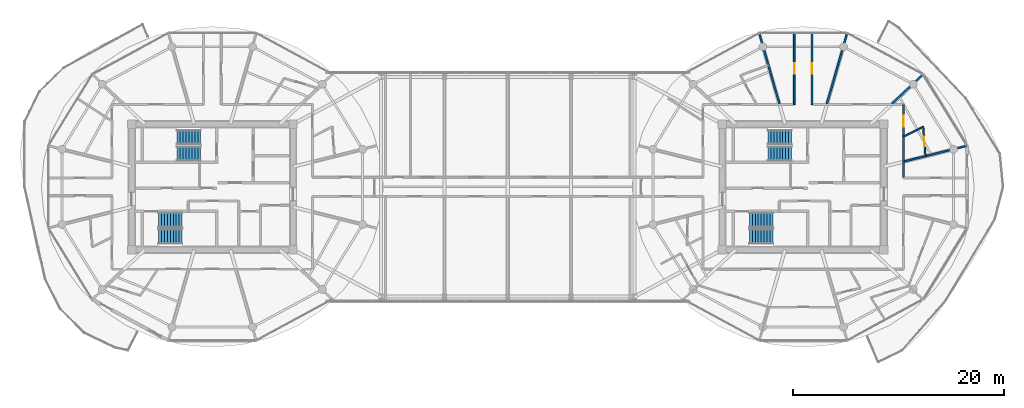
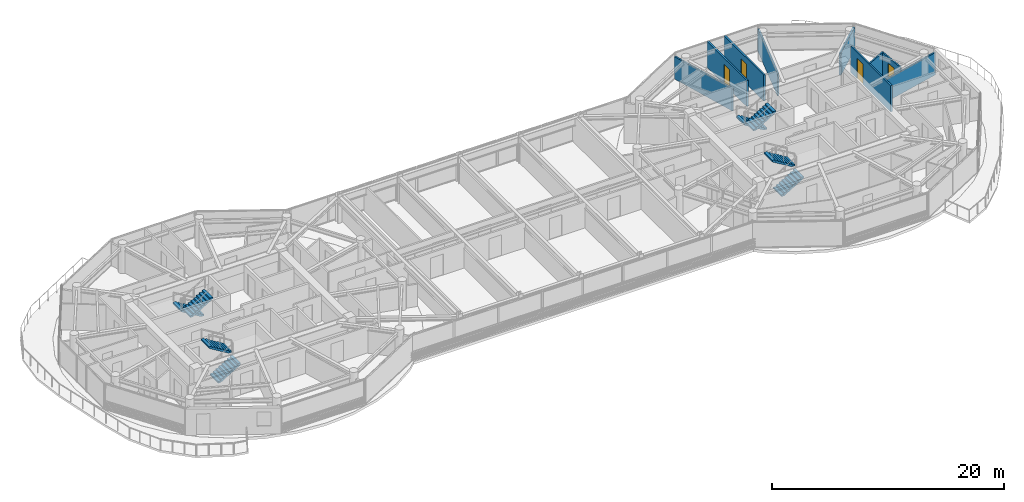
# One storey, part 20 of 24: 9 walls, 8 stair flights, 4 doors, 4 openings, 4 elements without a shape of their own.
"""IFC4 building model written with IfcOpenShell, lengths in metres."""

import ifcopenshell
import ifcopenshell.guid

model = None  # the IFC model being written
_history = None  # IfcOwnerHistory: only IFC2X3 demands one
_inside = {}  # id of a spatial element -> (the spatial element, [elements in it])
_under = {}  # id of a project, library or spatial element -> (it, [spatial elements below it])
_declared = {}  # id of a project -> (the project, [libraries it declares])
_typed = {}  # id of a type object -> (the type object, [elements of that type])
_made_of = {}  # id of a material, layer set ... -> (it, [elements and type objects made of it])


def new_model(schema):
    """Start an empty IFC model of exactly this schema.

    Asked for "IFC4X3", IfcOpenShell would pick the latest addendum, in which some entities
    have other attributes; the version numbers below select the first issue.
    IFC2X3 requires an IfcOwnerHistory on every rooted entity: one is made here for all.
    """
    global model, _history
    if schema == "IFC4X3":
        model = ifcopenshell.file(schema_version=(4, 3, 0, 0))
    else:
        model = ifcopenshell.file(schema=schema)
    _inside.clear()
    _under.clear()
    _declared.clear()
    _typed.clear()
    _made_of.clear()
    _history = None
    if model.schema == "IFC2X3":
        org = make("IfcOrganization", Name="unknown")
        user = make(
            "IfcPersonAndOrganization",
            ThePerson=make("IfcPerson", FamilyName="unknown"),
            TheOrganization=org,
        )
        app = make(
            "IfcApplication",
            ApplicationDeveloper=org,
            Version="unknown",
            ApplicationFullName="unknown",
            ApplicationIdentifier="unknown",
        )
        _history = make(
            "IfcOwnerHistory",
            OwningUser=user,
            OwningApplication=app,
            ChangeAction="ADDED",
            CreationDate=0,
        )
    return model


def make(cls, **values):
    """One entity of the class cls with the attributes given. An attribute that is None is left unset."""
    return model.create_entity(
        cls, **{name: value for name, value in values.items() if value is not None}
    )


def rooted(cls, **values):
    """An entity with a GlobalId (a new one), such as an element, a storey or a relation."""
    return make(cls, GlobalId=ifcopenshell.guid.new(), OwnerHistory=_history, **values)


def si_unit(unit_type, name, prefix=None):
    """IfcSIUnit, for example si_unit("LENGTHUNIT", "METRE", prefix="MILLI")."""
    return make("IfcSIUnit", UnitType=unit_type, Prefix=prefix, Name=name)


def assignment(units):
    """IfcUnitAssignment: the units of a project."""
    return None if units is None else make("IfcUnitAssignment", Units=units)


def point(xyz):
    """IfcCartesianPoint."""
    return None if xyz is None else make("IfcCartesianPoint", Coordinates=xyz)


def direction(xyz):
    """IfcDirection."""
    return None if xyz is None else make("IfcDirection", DirectionRatios=xyz)


def frame(location, z_axis=None, x_axis=None):
    """IfcAxis2Placement3D, a coordinate frame: its origin and axes. An axis left out is left unset."""
    return make(
        "IfcAxis2Placement3D",
        Location=point(location),
        Axis=direction(z_axis),
        RefDirection=direction(x_axis),
    )


def frame_2d(location, x_axis=None):
    """IfcAxis2Placement2D, a coordinate frame in the plane: its origin and x axis."""
    return make(
        "IfcAxis2Placement2D", Location=point(location), RefDirection=direction(x_axis)
    )


def origin():
    """The frame at (0, 0, 0) with its axes left unset."""
    return frame((0.0, 0.0, 0.0))


def place(relative_to, where):
    """IfcLocalPlacement: puts the frame where relative to a parent placement (None: the world)."""
    return make(
        "IfcLocalPlacement", PlacementRelTo=relative_to, RelativePlacement=where
    )


def context(
    kind, dimensions, precision=None, world=None, true_north=None, identifier=None
):
    """IfcGeometricRepresentationContext, for example the 3D "Model" context."""
    return make(
        "IfcGeometricRepresentationContext",
        ContextIdentifier=identifier,
        ContextType=kind,
        CoordinateSpaceDimension=dimensions,
        Precision=precision,
        WorldCoordinateSystem=world,
        TrueNorth=true_north,
    )


def subcontext(parent, identifier, kind, view, scale=None):
    """IfcGeometricRepresentationSubContext, for example "Body" below "Model"."""
    return make(
        "IfcGeometricRepresentationSubContext",
        ContextIdentifier=identifier,
        ContextType=kind,
        ParentContext=parent,
        TargetScale=scale,
        TargetView=view,
    )


def project(units=None, contexts=None):
    """IfcProject with its units and contexts."""
    return rooted(
        "IfcProject",
        Name="project",
        RepresentationContexts=contexts,
        UnitsInContext=assignment(units),
    )


def spatial(cls, under=None, at=None, **own):
    """A site, building, storey or space (cls), placed at a placement, below another one or the project."""
    s = rooted(cls, ObjectPlacement=at, **own)
    if under is not None:
        _under.setdefault(under.id(), (under, []))[1].append(s)
    return s


def polyline(points):
    """IfcPolyline through the points."""
    return make("IfcPolyline", Points=[point(p) for p in points])


def profile(cls, at=None, kind="AREA", **sizes):
    """A parametric profile (cls). Its sizes go by their IFC names, for example OverallWidth=200.0."""
    return make(cls, ProfileType=kind, Position=at, **sizes)


def rectangle(**sizes):
    """IfcRectangleProfileDef."""
    return profile("IfcRectangleProfileDef", **sizes)


def outline(outer, holes=None, kind="AREA"):
    """IfcArbitraryClosedProfileDef: a profile drawn as a closed curve; with holes, ...WithVoids."""
    if holes is None:
        return make("IfcArbitraryClosedProfileDef", ProfileType=kind, OuterCurve=outer)
    return make(
        "IfcArbitraryProfileDefWithVoids",
        ProfileType=kind,
        OuterCurve=outer,
        InnerCurves=holes,
    )


def extrude(swept, where, along, depth):
    """IfcExtrudedAreaSolid: the profile swept, set in the frame where, extruded along a direction by depth."""
    return make(
        "IfcExtrudedAreaSolid",
        SweptArea=swept,
        Position=where,
        ExtrudedDirection=direction(along),
        Depth=depth,
    )


def shape(context_of_items, identifier, shape_type, items):
    """IfcShapeRepresentation: the items that make up one representation, for example the "Body"."""
    return make(
        "IfcShapeRepresentation",
        ContextOfItems=context_of_items,
        RepresentationIdentifier=identifier,
        RepresentationType=shape_type,
        Items=items,
    )


def source(mapping_origin, context_of_items, identifier, shape_type, items):
    """IfcRepresentationMap: a shape defined once, which mapped items show again and again."""
    return make(
        "IfcRepresentationMap",
        MappingOrigin=mapping_origin,
        MappedRepresentation=shape(context_of_items, identifier, shape_type, items),
    )


def transform(
    local_origin,
    x_axis=None,
    y_axis=None,
    z_axis=None,
    scale=None,
    scale2=None,
    scale3=None,
    uniform=True,
):
    """IfcCartesianTransformationOperator3D, or its non-uniform kind. x_axis, y_axis, z_axis: its Axis1, 2, 3."""
    if uniform:
        return make(
            "IfcCartesianTransformationOperator3D",
            Axis1=direction(x_axis),
            Axis2=direction(y_axis),
            LocalOrigin=point(local_origin),
            Scale=scale,
            Axis3=direction(z_axis),
        )
    return make(
        "IfcCartesianTransformationOperator3DnonUniform",
        Axis1=direction(x_axis),
        Axis2=direction(y_axis),
        LocalOrigin=point(local_origin),
        Scale=scale,
        Axis3=direction(z_axis),
        Scale2=scale2,
        Scale3=scale3,
    )


def mapped(mapping_source, mapping_target):
    """IfcMappedItem: shows the shape of a source again, moved by a transform."""
    return make(
        "IfcMappedItem", MappingSource=mapping_source, MappingTarget=mapping_target
    )


def material(Name=None, Category=None):
    """IfcMaterial."""
    return make("IfcMaterial", Name=Name, Category=Category)


def layer(
    of_material, thickness, ventilated=None, Name=None, Category=None, Priority=None
):
    """IfcMaterialLayer: one layer of a wall or slab, of a material (None: an air gap)."""
    return make(
        "IfcMaterialLayer",
        Material=of_material,
        LayerThickness=thickness,
        IsVentilated=ventilated,
        Name=Name,
        Category=Category,
        Priority=Priority,
    )


def layer_set(layers, Name=None):
    """IfcMaterialLayerSet."""
    return make("IfcMaterialLayerSet", MaterialLayers=layers, LayerSetName=Name)


def made_of(thing, what):
    """Note that an element or type object is made of a material, layer set ...; save() writes the relation."""
    if what is not None:
        _made_of.setdefault(what.id(), (what, []))[1].append(thing)
    return thing


def type_object(cls, material=None, **own):
    """A type object (cls), such as IfcWallType, which elements share."""
    return made_of(rooted(cls, **own), material)


def type_shapes(of_type, sources):
    """Give a type object the sources (RepresentationMaps) that its elements show as mapped items."""
    of_type.RepresentationMaps = sources


def element(
    cls,
    number,
    at=None,
    inside=None,
    cuts=None,
    type_object=None,
    material=None,
    context=None,
    identifier="Body",
    shape_type=None,
    held_by="IfcProductDefinitionShape",
    body=None,
    shapes=None,
    **own,
):
    """One element of the class cls, such as IfcWall. Its Tag is "e" and its number.

    at: its placement. inside: the storey or other place that contains it. cuts: it is an
    opening in that element (IfcRelVoidsElement). A single representation is given by context,
    identifier, shape_type and body (its items); several are given by shapes. held_by: the class
    of the entity that holds the representations. save() writes the other relations.
    """
    e = rooted(cls, Tag="e%d" % number, ObjectPlacement=at, **own)
    if body is not None:
        shapes = [shape(context, identifier, shape_type, body)]
    if shapes is not None:
        e.Representation = make(held_by, Representations=shapes)
    if inside is not None:
        _inside.setdefault(inside.id(), (inside, []))[1].append(e)
    if cuts is not None:
        rooted(
            "IfcRelVoidsElement", RelatingBuildingElement=cuts, RelatedOpeningElement=e
        )
    if type_object is not None:
        _typed.setdefault(type_object.id(), (type_object, []))[1].append(e)
    return made_of(e, material)


def fill(opening, filler):
    """IfcRelFillsElement: the door or window that sits in an opening."""
    return rooted(
        "IfcRelFillsElement",
        RelatingOpeningElement=opening,
        RelatedBuildingElement=filler,
    )


def aggregate(whole, parts):
    """IfcRelAggregates: a whole, such as a stair, and the parts it consists of."""
    return rooted("IfcRelAggregates", RelatingObject=whole, RelatedObjects=parts)


def save(model, path):
    """Write the relations noted so far, then the file.

    IfcRelAggregates (storeys below a building ...), IfcRelContainedInSpatialStructure (elements
    in a storey), IfcRelDefinesByType, IfcRelAssociatesMaterial and IfcRelDeclares: one each for
    every whole, place, type object, material and project.
    """
    for whole, parts in _under.values():
        aggregate(whole, parts)
    for where, things in _inside.values():
        rooted(
            "IfcRelContainedInSpatialStructure",
            RelatedElements=things,
            RelatingStructure=where,
        )
    for kind, things in _typed.values():
        rooted("IfcRelDefinesByType", RelatedObjects=things, RelatingType=kind)
    for what, things in _made_of.values():
        rooted("IfcRelAssociatesMaterial", RelatedObjects=things, RelatingMaterial=what)
    for by, libraries in _declared.values():
        rooted("IfcRelDeclares", RelatingContext=by, RelatedDefinitions=libraries)
    model.write(path)


model = new_model("IFC4")

# Units and contexts
model_context = context("Model", 3, precision=1e-05, world=origin(), true_north=direction((0.0, 1.0)))
body_context = subcontext(model_context, "Body", "Model", "MODEL_VIEW")
ifc_project = project(units=[si_unit("LENGTHUNIT", "METRE"), si_unit("AREAUNIT", "SQUARE_METRE"), si_unit("VOLUMEUNIT", "CUBIC_METRE"), si_unit("PLANEANGLEUNIT", "RADIAN"), si_unit("MASSUNIT", "GRAM", prefix="KILO")], contexts=[model_context])

# Site, building, storey
site_placement = place(None, origin())
site = spatial("IfcSite", under=ifc_project, at=site_placement, CompositionType="ELEMENT")
building_placement = place(site_placement, origin())
building = spatial("IfcBuilding", under=site, at=building_placement, Name="Norrkilde Senior Care Towers", CompositionType="ELEMENT")
storey_placement = place(building_placement, frame((0.0, 0.0, 213.89990234375)))
storey = spatial("IfcBuildingStorey", under=building, at=storey_placement, Name="L66", CompositionType="ELEMENT", Elevation=213.89990234375)

# Wall, opening, door
ifc_material_1 = material(Name="Gypsum Acoustic Board")
ifc_layer_1 = layer(ifc_material_1, 0.1650390625)
ifc_layer_set_1 = layer_set([ifc_layer_1], Name="Gypsum Acoustic Board")
wall_type_1 = type_object("IfcWallType", Name="Corridor Rated Partition 165", PredefinedType="PARTITIONING", material=ifc_layer_set_1)
shared_shape_1 = source(origin(), body_context, "Body", "SweptSolid", [
    extrude(rectangle(XDim=6.880126953125, YDim=0.1650390625, at=frame_2d((3.43994140625, 0.0))), origin(), (0.0, 0.0, 1.0), 2.7451171875),
])
wall_1_placement = place(storey_placement, frame((37.5, 7.800048828125, 0.0), z_axis=(0.0, 0.0, 1.0), x_axis=(0.0, -1.0, 0.0)))
wall_1 = element("IfcWall", 1, at=wall_1_placement, inside=storey, type_object=wall_type_1, Name="WL-INT-L66-E-CRW-E-0", PredefinedType="PARTITIONING", context=body_context, shape_type="MappedRepresentation", body=[
    mapped(shared_shape_1, transform((0.0, 0.0, 0.0), x_axis=(1.0, 0.0, 0.0), y_axis=(0.0, 1.0, 0.0), z_axis=(0.0, 0.0, 1.0), scale=1.0)),
])
opening_1_placement = place(wall_1_placement, frame((1.068115234375, 0.0, 0.0)))
opening_1 = element("IfcOpeningElement", 2, at=opening_1_placement, cuts=wall_1, Name="Opening D-06", PredefinedType="OPENING", context=body_context, shape_type="SweptSolid", body=[
    extrude(rectangle(XDim=1.050048828125, YDim=2.14990234375, at=frame_2d((0.52490234375, 1.074951171875))), frame((0.0, 0.092529296875, 0.0), z_axis=(0.0, -1.0, 0.0), x_axis=(1.0, 0.0, 0.0)), (0.0, 0.0, 1.0), 0.18505859375),
])
ifc_material_2 = material(Name="Nordic Ash Timber", Category="wood")
door_type_1 = type_object("IfcDoorType", Name="Apartment Entrance Fire Door 1050x2150", OperationType="NOTDEFINED", PredefinedType="DOOR", material=ifc_material_2)
shared_shape_2 = source(origin(), body_context, "Body", "SweptSolid", [
    extrude(rectangle(XDim=1.050048828125, YDim=2.14990234375, at=frame_2d((0.52490234375, 1.074951171875))), frame((0.0, 0.02490234375, 0.0), z_axis=(0.0, -1.0, 0.0), x_axis=(1.0, 0.0, 0.0)), (0.0, 0.0, 1.0), 0.050048828125),
])
type_shapes(door_type_1, [shared_shape_2])
door_1_placement = place(opening_1_placement, frame((1.050048828125, 0.0, 0.0), z_axis=(0.0, 0.0, 1.0), x_axis=(-1.0, 0.0, 0.0)))
door_1 = element("IfcDoor", 3, at=door_1_placement, inside=storey, type_object=door_type_1, Name="L66 Studio 66A Entrance Door", OperationType="SINGLE_SWING_LEFT", OverallHeight=2.14990234375, OverallWidth=1.050048828125, PredefinedType="DOOR", context=body_context, shape_type="MappedRepresentation", body=[
    mapped(shared_shape_2, transform((0.0, 0.0, 0.0), x_axis=(1.0, 0.0, 0.0), y_axis=(0.0, 1.0, 0.0), z_axis=(0.0, 0.0, 1.0), scale=1.0)),
])
fill(opening_1, door_1)

shared_shape_3 = source(origin(), body_context, "Body", "SweptSolid", [
    extrude(rectangle(XDim=6.83544921875, YDim=0.1650390625, at=frame_2d((3.417724609375, 0.0))), origin(), (0.0, 0.0, 1.0), 2.7451171875),
])
wall_2_placement = place(storey_placement, frame((27.159912109375, 7.800048828125, 0.0), z_axis=(0.0, 0.0, 1.0), x_axis=(0.0, 1.0, 0.0)))
wall_2 = element("IfcWall", 4, at=wall_2_placement, inside=storey, type_object=wall_type_1, Name="WL-INT-L66-E-SPK-N1-0", PredefinedType="PARTITIONING", context=body_context, shape_type="MappedRepresentation", body=[
    mapped(shared_shape_3, transform((0.0, 0.0, 0.0), x_axis=(1.0, 0.0, 0.0), y_axis=(0.0, 1.0, 0.0), z_axis=(0.0, 0.0, 1.0), scale=1.0)),
])
opening_2_placement = place(wall_2_placement, frame((2.942626953125, 0.0, 0.0)))
opening_2 = element("IfcOpeningElement", 5, at=opening_2_placement, cuts=wall_2, Name="Opening D-07", PredefinedType="OPENING", context=body_context, shape_type="SweptSolid", body=[
    extrude(rectangle(XDim=0.949951171875, YDim=2.10009765625, at=frame_2d((0.47509765625, 1.050048828125))), frame((0.0, 0.092529296875, 0.0), z_axis=(0.0, -1.0, 0.0), x_axis=(1.0, 0.0, 0.0)), (0.0, 0.0, 1.0), 0.18505859375),
])
door_type_2 = type_object("IfcDoorType", Name="Internal Suite Bedroom Door 950x2100", OperationType="NOTDEFINED", PredefinedType="DOOR", material=ifc_material_2)
shared_shape_4 = source(origin(), body_context, "Body", "SweptSolid", [
    extrude(rectangle(XDim=0.949951171875, YDim=2.10009765625, at=frame_2d((0.47509765625, 1.050048828125))), frame((0.0, 0.02490234375, 0.0), z_axis=(0.0, -1.0, 0.0), x_axis=(1.0, 0.0, 0.0)), (0.0, 0.0, 1.0), 0.050048828125),
])
type_shapes(door_type_2, [shared_shape_4])
door_2_placement = place(opening_2_placement, frame((0.949951171875, 0.0, 0.0), z_axis=(0.0, 0.0, 1.0), x_axis=(-1.0, 0.0, 0.0)))
door_2 = element("IfcDoor", 6, at=door_2_placement, inside=storey, type_object=door_type_2, Name="L66 Sun Reading Lounge 3 Door", OperationType="SINGLE_SWING_RIGHT", OverallHeight=2.10009765625, OverallWidth=0.949951171875, PredefinedType="DOOR", context=body_context, shape_type="MappedRepresentation", body=[
    mapped(shared_shape_4, transform((0.0, 0.0, 0.0), x_axis=(1.0, 0.0, 0.0), y_axis=(0.0, 1.0, 0.0), z_axis=(0.0, 0.0, 1.0), scale=1.0)),
])
fill(opening_2, door_2)

wall_3_placement = place(storey_placement, frame((28.840087890625, 14.635498046875, 0.0), z_axis=(0.0, 0.0, 1.0), x_axis=(0.0, -1.0, 0.0)))
wall_3 = element("IfcWall", 7, at=wall_3_placement, inside=storey, type_object=wall_type_1, Name="WL-INT-L66-E-SPK-N2-0", PredefinedType="PARTITIONING", context=body_context, shape_type="MappedRepresentation", body=[
    mapped(shared_shape_3, transform((0.0, 0.0, 0.0), x_axis=(1.0, 0.0, 0.0), y_axis=(0.0, 1.0, 0.0), z_axis=(0.0, 0.0, 1.0), scale=1.0)),
])
opening_3_placement = place(wall_3_placement, frame((2.942626953125, 0.0, 0.0)))
opening_3 = element("IfcOpeningElement", 8, at=opening_3_placement, cuts=wall_3, Name="Opening D-07", PredefinedType="OPENING", context=body_context, shape_type="SweptSolid", body=[
    extrude(rectangle(XDim=0.949951171875, YDim=2.10009765625, at=frame_2d((0.47509765625, 1.050048828125))), frame((0.0, 0.092529296875, 0.0), z_axis=(0.0, -1.0, 0.0), x_axis=(1.0, 0.0, 0.0)), (0.0, 0.0, 1.0), 0.18505859375),
])
door_3_placement = place(opening_3_placement, frame((0.949951171875, 0.0, 0.0), z_axis=(0.0, 0.0, 1.0), x_axis=(-1.0, 0.0, 0.0)))
door_3 = element("IfcDoor", 9, at=door_3_placement, inside=storey, type_object=door_type_2, Name="L66 Sun Reading Lounge 4 Door", OperationType="SINGLE_SWING_LEFT", OverallHeight=2.10009765625, OverallWidth=0.949951171875, PredefinedType="DOOR", context=body_context, shape_type="MappedRepresentation", body=[
    mapped(shared_shape_4, transform((0.0, 0.0, 0.0), x_axis=(1.0, 0.0, 0.0), y_axis=(0.0, 1.0, 0.0), z_axis=(0.0, 0.0, 1.0), scale=1.0)),
])
fill(opening_3, door_3)

# Wall
ifc_layer_2 = layer(ifc_material_1, 0.139892578125)
ifc_layer_set_2 = layer_set([ifc_layer_2], Name="Gypsum Acoustic Board")
wall_type_2 = type_object("IfcWallType", Name="En-suite Wet Room Wall 140", PredefinedType="PARTITIONING", material=ifc_layer_set_2)
shared_shape_5 = source(origin(), body_context, "Body", "SweptSolid", [
    extrude(rectangle(XDim=2.059814453125, YDim=0.139892578125, at=frame_2d((1.02978515625, 0.0))), origin(), (0.0, 0.0, 1.0), 2.7451171875),
])
wall_4_placement = place(storey_placement, frame((37.530029296875, 4.7783203125, 0.0), z_axis=(0.0, 0.0, 1.0), x_axis=(0.893952568722, 0.448161583444, 0.0)))
element("IfcWall", 10, at=wall_4_placement, inside=storey, type_object=wall_type_2, Name="WL-INT-L66-E-ES-00", PredefinedType="PARTITIONING", context=body_context, shape_type="MappedRepresentation", body=[
    mapped(shared_shape_5, transform((0.0, 0.0, 0.0), x_axis=(1.0, 0.0, 0.0), y_axis=(0.0, 1.0, 0.0), z_axis=(0.0, 0.0, 1.0), scale=1.0)),
])

# Wall, opening, door
shared_shape_6 = source(origin(), body_context, "Body", "SweptSolid", [
    extrude(rectangle(XDim=2.79833984375, YDim=0.139892578125, at=frame_2d((1.399169921875, 0.0))), origin(), (0.0, 0.0, 1.0), 2.7451171875),
])
type_shapes(wall_type_2, [shared_shape_5, shared_shape_6])
wall_5_placement = place(storey_placement, frame((39.371337890625, 5.701416015625, 0.0), z_axis=(0.0, 0.0, 1.0), x_axis=(0.077823984089, -0.996967114553, 0.0)))
wall_5 = element("IfcWall", 11, at=wall_5_placement, inside=storey, type_object=wall_type_2, Name="WL-INT-L66-E-EF-00", PredefinedType="PARTITIONING", context=body_context, shape_type="MappedRepresentation", body=[
    mapped(shared_shape_6, transform((0.0, 0.0, 0.0), x_axis=(1.0, 0.0, 0.0), y_axis=(0.0, 1.0, 0.0), z_axis=(0.0, 0.0, 1.0), scale=1.0)),
])
opening_4_placement = place(wall_5_placement, frame((0.939208984375, 0.0, 0.0)))
opening_4 = element("IfcOpeningElement", 12, at=opening_4_placement, cuts=wall_5, Name="Opening D-08", PredefinedType="OPENING", context=body_context, shape_type="SweptSolid", body=[
    extrude(rectangle(XDim=0.919921875, YDim=2.10009765625, at=frame_2d((0.4599609375, 1.050048828125))), frame((0.0, 0.079833984375, 0.0), z_axis=(0.0, -1.0, 0.0), x_axis=(1.0, 0.0, 0.0)), (0.0, 0.0, 1.0), 0.159912109375),
])
door_type_3 = type_object("IfcDoorType", Name="Accessible Wet Room Door 920x2100", OperationType="NOTDEFINED", PredefinedType="DOOR", material=ifc_material_2)
shared_shape_7 = source(origin(), body_context, "Body", "SweptSolid", [
    extrude(rectangle(XDim=0.919921875, YDim=2.10009765625, at=frame_2d((0.4599609375, 1.050048828125))), frame((0.0, 0.02490234375, 0.0), z_axis=(0.0, -1.0, 0.0), x_axis=(1.0, 0.0, 0.0)), (0.0, 0.0, 1.0), 0.050048828125),
])
type_shapes(door_type_3, [shared_shape_7])
door_4_placement = place(opening_4_placement, origin())
door_4 = element("IfcDoor", 13, at=door_4_placement, inside=storey, type_object=door_type_3, Name="L66 Studio 66A Bathroom Door", OperationType="SINGLE_SWING_RIGHT", OverallHeight=2.10009765625, OverallWidth=0.919921875, PredefinedType="DOOR", context=body_context, shape_type="MappedRepresentation", body=[
    mapped(shared_shape_7, transform((0.0, 0.0, 0.0), x_axis=(1.0, 0.0, 0.0), y_axis=(0.0, 1.0, 0.0), z_axis=(0.0, 0.0, 1.0), scale=1.0)),
])
fill(opening_4, door_4)

# Walls
shared_shape_8 = source(origin(), body_context, "Body", "SweptSolid", [
    extrude(rectangle(XDim=6.973876953125, YDim=0.1650390625, at=frame_2d((3.48681640625, 0.0))), origin(), (0.0, 0.0, 1.0), 2.34521484375),
])
for number, where, z_axis, x_axis, name in (
    (14, (30.251220703125, 7.8798828125, 0.0), (0.0, 0.0, 1.0), (0.274707256801, 0.961527910703, 0.0), "WL-INT-L66-E-DEM-02-0"),
    (15, (25.748779296875, 7.8798828125, 0.0), (0.0, 0.0, 1.0), (-0.274707256801, 0.961527910703, 0.0), "WL-INT-L66-E-DEM-03-0"),
):
    element("IfcWall", number, at=place(storey_placement, frame(where, z_axis=z_axis, x_axis=x_axis)), inside=storey, type_object=wall_type_1, Name=name, PredefinedType="PARTITIONING", context=body_context, shape_type="MappedRepresentation", body=[
        mapped(shared_shape_8, transform((0.0, 0.0, 0.0), x_axis=(1.0, 0.0, 0.0), y_axis=(0.0, 1.0, 0.0), z_axis=(0.0, 0.0, 1.0), scale=1.0)),
    ])
shared_shape_9 = source(origin(), body_context, "Body", "SweptSolid", [
    extrude(rectangle(XDim=6.1572265625, YDim=0.1650390625, at=frame_2d((3.07861328125, 0.0))), origin(), (0.0, 0.0, 1.0), 2.34521484375),
])
type_shapes(wall_type_1, [shared_shape_1, shared_shape_3, shared_shape_8, shared_shape_9])
wall_6_placement = place(storey_placement, frame((37.580078125, 2.407470703125, 0.0), z_axis=(0.0, 0.0, 1.0), x_axis=(0.969840867184, 0.243738984038, 0.0)))
element("IfcWall", 16, at=wall_6_placement, inside=storey, type_object=wall_type_1, Name="WL-INT-L66-E-DEM-00-0", PredefinedType="PARTITIONING", context=body_context, shape_type="MappedRepresentation", body=[
    mapped(shared_shape_9, transform((0.0, 0.0, 0.0), x_axis=(1.0, 0.0, 0.0), y_axis=(0.0, 1.0, 0.0), z_axis=(0.0, 0.0, 1.0), scale=1.0)),
])
ifc_layer_3 = layer(ifc_material_1, 0.18994140625)
ifc_layer_set_3 = layer_set([ifc_layer_3], Name="Gypsum Acoustic Board")
wall_type_3 = type_object("IfcWallType", Name="Unit Demising Acoustic Wall 190", PredefinedType="PARTITIONING", material=ifc_layer_set_3)
shared_shape_10 = source(origin(), body_context, "Body", "SweptSolid", [
    extrude(rectangle(XDim=4.089111328125, YDim=0.18994140625, at=frame_2d((2.04443359375, 0.0))), origin(), (0.0, 0.0, 1.0), 2.34521484375),
])
type_shapes(wall_type_3, [shared_shape_10])
wall_7_placement = place(storey_placement, frame((36.40185546875, 7.8798828125, 0.0), z_axis=(0.0, 0.0, 1.0), x_axis=(0.729401273609, 0.684086092577, 0.0)))
element("IfcWall", 17, at=wall_7_placement, inside=storey, type_object=wall_type_3, Name="WL-INT-L66-E-DEM-01-0", PredefinedType="PARTITIONING", context=body_context, shape_type="MappedRepresentation", body=[
    mapped(shared_shape_10, transform((0.0, 0.0, 0.0), x_axis=(1.0, 0.0, 0.0), y_axis=(0.0, 1.0, 0.0), z_axis=(0.0, 0.0, 1.0), scale=1.0)),
])

# Stair, stair flights
ifc_material_3 = material(Name="Concrete C45/55", Category="concrete")
stair_type = type_object("IfcStairType", Name="Core Protected Dogleg Stair Typical 3050", PredefinedType="HALF_TURN_STAIR", material=ifc_material_3)
stair_1_placement = place(storey_placement, origin())
stair_1 = element("IfcStair", 18, at=stair_1_placement, inside=storey, type_object=stair_type, Name="L66 Protected Core Stair W1", PredefinedType="HALF_TURN_STAIR")
stair_flight_type = type_object("IfcStairFlightType", Name="Core Protected Dogleg Stair Typical 3050 Flight", PredefinedType="STRAIGHT", material=ifc_material_3)
stair_flight_1_placement = place(storey_placement, frame((-29.10009765625, 4.699951171875, 0.0), z_axis=(0.0, 0.0, 1.0), x_axis=(-1.0, 0.0, 0.0)))
stair_flight_1 = element("IfcStairFlight", 19, at=stair_flight_1_placement, type_object=stair_flight_type, Name="ST-W1 flight 1", NumberOfRisers=9, NumberOfTreads=8, PredefinedType="STRAIGHT", RiserHeight=0.169444444, TreadLength=0.28, context=body_context, shape_type="SweptSolid", body=[
    extrude(outline(polyline([(0.0, 0.0), (0.0, 0.16943359375), (0.280029296875, 0.16943359375), (0.280029296875, 0.3388671875), (0.56005859375, 0.3388671875), (0.56005859375, 0.50830078125), (0.840087890625, 0.50830078125), (0.840087890625, 0.677734375), (1.1201171875, 0.677734375), (1.1201171875, 0.84716796875), (1.39990234375, 0.84716796875), (1.39990234375, 1.0166015625), (1.679931640625, 1.0166015625), (1.679931640625, 1.18603515625), (1.9599609375, 1.18603515625), (1.9599609375, 1.35546875), (2.239990234375, 1.35546875), (2.239990234375, 1.52490234375), (2.239990234375, 1.180419921875), (0.28955078125, 0.0), (0.0, 0.0)])), frame((0.0, 0.699951171875, 0.0), z_axis=(0.0, -1.0, 0.0), x_axis=(1.0, 0.0, 0.0)), (0.0, 0.0, 1.0), 1.39990234375),
])
stair_flight_2_placement = place(storey_placement, frame((-31.340087890625, 3.14990234375, 1.525146484375), z_axis=(0.0, 0.0, 1.0), x_axis=(1.0, 0.0, 0.0)))
stair_flight_2 = element("IfcStairFlight", 20, at=stair_flight_2_placement, type_object=stair_flight_type, Name="ST-W1 flight 2", NumberOfRisers=9, NumberOfTreads=8, PredefinedType="STRAIGHT", RiserHeight=0.169444444, TreadLength=0.28, context=body_context, shape_type="SweptSolid", body=[
    extrude(outline(polyline([(0.0, 0.0), (0.0, 0.16943359375), (0.280029296875, 0.16943359375), (0.280029296875, 0.3388671875), (0.56005859375, 0.3388671875), (0.56005859375, 0.50830078125), (0.840087890625, 0.50830078125), (0.840087890625, 0.677734375), (1.1201171875, 0.677734375), (1.1201171875, 0.84716796875), (1.39990234375, 0.84716796875), (1.39990234375, 1.0166015625), (1.679931640625, 1.0166015625), (1.679931640625, 1.18603515625), (1.9599609375, 1.18603515625), (1.9599609375, 1.35546875), (2.239990234375, 1.35546875), (2.239990234375, 1.52490234375), (2.239990234375, 1.180419921875), (0.28955078125, 0.0), (0.0, 0.0)])), frame((0.0, 0.699951171875, 0.0), z_axis=(0.0, -1.0, 0.0), x_axis=(1.0, 0.0, 0.0)), (0.0, 0.0, 1.0), 1.39990234375),
])
aggregate(stair_1, [stair_flight_1, stair_flight_2])

stair_2_placement = place(storey_placement, origin())
stair_2 = element("IfcStair", 21, at=stair_2_placement, inside=storey, type_object=stair_type, Name="L66 Protected Core Stair W2", PredefinedType="HALF_TURN_STAIR")
stair_flight_3_placement = place(storey_placement, frame((-33.10009765625, -4.699951171875, 0.0), z_axis=(0.0, 0.0, 1.0), x_axis=(1.0, 0.0, 0.0)))
stair_flight_3 = element("IfcStairFlight", 22, at=stair_flight_3_placement, type_object=stair_flight_type, Name="ST-W2 flight 1", NumberOfRisers=9, NumberOfTreads=8, PredefinedType="STRAIGHT", RiserHeight=0.169444444, TreadLength=0.28, context=body_context, shape_type="SweptSolid", body=[
    extrude(outline(polyline([(0.0, 0.0), (0.0, 0.16943359375), (0.280029296875, 0.16943359375), (0.280029296875, 0.3388671875), (0.56005859375, 0.3388671875), (0.56005859375, 0.50830078125), (0.840087890625, 0.50830078125), (0.840087890625, 0.677734375), (1.1201171875, 0.677734375), (1.1201171875, 0.84716796875), (1.39990234375, 0.84716796875), (1.39990234375, 1.0166015625), (1.679931640625, 1.0166015625), (1.679931640625, 1.18603515625), (1.9599609375, 1.18603515625), (1.9599609375, 1.35546875), (2.239990234375, 1.35546875), (2.239990234375, 1.52490234375), (2.239990234375, 1.180419921875), (0.28955078125, 0.0), (0.0, 0.0)])), frame((0.0, 0.699951171875, 0.0), z_axis=(0.0, -1.0, 0.0), x_axis=(1.0, 0.0, 0.0)), (0.0, 0.0, 1.0), 1.39990234375),
])
stair_flight_4_placement = place(storey_placement, frame((-30.860107421875, -3.14990234375, 1.525146484375), z_axis=(0.0, 0.0, 1.0), x_axis=(-1.0, 0.0, 0.0)))
stair_flight_4 = element("IfcStairFlight", 23, at=stair_flight_4_placement, type_object=stair_flight_type, Name="ST-W2 flight 2", NumberOfRisers=9, NumberOfTreads=8, PredefinedType="STRAIGHT", RiserHeight=0.169444444, TreadLength=0.28, context=body_context, shape_type="SweptSolid", body=[
    extrude(outline(polyline([(0.0, 0.0), (0.0, 0.16943359375), (0.280029296875, 0.16943359375), (0.280029296875, 0.3388671875), (0.56005859375, 0.3388671875), (0.56005859375, 0.50830078125), (0.840087890625, 0.50830078125), (0.840087890625, 0.677734375), (1.1201171875, 0.677734375), (1.1201171875, 0.84716796875), (1.39990234375, 0.84716796875), (1.39990234375, 1.0166015625), (1.679931640625, 1.0166015625), (1.679931640625, 1.18603515625), (1.9599609375, 1.18603515625), (1.9599609375, 1.35546875), (2.239990234375, 1.35546875), (2.239990234375, 1.52490234375), (2.239990234375, 1.180419921875), (0.28955078125, 0.0), (0.0, 0.0)])), frame((0.0, 0.699951171875, 0.0), z_axis=(0.0, -1.0, 0.0), x_axis=(1.0, 0.0, 0.0)), (0.0, 0.0, 1.0), 1.39990234375),
])
aggregate(stair_2, [stair_flight_3, stair_flight_4])

stair_3_placement = place(storey_placement, origin())
stair_3 = element("IfcStair", 24, at=stair_3_placement, inside=storey, type_object=stair_type, Name="L66 Protected Core Stair E1", PredefinedType="HALF_TURN_STAIR")
stair_flight_5_placement = place(storey_placement, frame((26.89990234375, 4.699951171875, 0.0), z_axis=(0.0, 0.0, 1.0), x_axis=(-1.0, 0.0, 0.0)))
stair_flight_5 = element("IfcStairFlight", 25, at=stair_flight_5_placement, type_object=stair_flight_type, Name="ST-E1 flight 1", NumberOfRisers=9, NumberOfTreads=8, PredefinedType="STRAIGHT", RiserHeight=0.169444444, TreadLength=0.28, context=body_context, shape_type="SweptSolid", body=[
    extrude(outline(polyline([(0.0, 0.0), (0.0, 0.16943359375), (0.280029296875, 0.16943359375), (0.280029296875, 0.3388671875), (0.56005859375, 0.3388671875), (0.56005859375, 0.50830078125), (0.840087890625, 0.50830078125), (0.840087890625, 0.677734375), (1.1201171875, 0.677734375), (1.1201171875, 0.84716796875), (1.39990234375, 0.84716796875), (1.39990234375, 1.0166015625), (1.679931640625, 1.0166015625), (1.679931640625, 1.18603515625), (1.9599609375, 1.18603515625), (1.9599609375, 1.35546875), (2.239990234375, 1.35546875), (2.239990234375, 1.52490234375), (2.239990234375, 1.180419921875), (0.28955078125, 0.0), (0.0, 0.0)])), frame((0.0, 0.699951171875, 0.0), z_axis=(0.0, -1.0, 0.0), x_axis=(1.0, 0.0, 0.0)), (0.0, 0.0, 1.0), 1.39990234375),
])
stair_flight_6_placement = place(storey_placement, frame((24.659912109375, 3.14990234375, 1.525146484375), z_axis=(0.0, 0.0, 1.0), x_axis=(1.0, 0.0, 0.0)))
stair_flight_6 = element("IfcStairFlight", 26, at=stair_flight_6_placement, type_object=stair_flight_type, Name="ST-E1 flight 2", NumberOfRisers=9, NumberOfTreads=8, PredefinedType="STRAIGHT", RiserHeight=0.169444444, TreadLength=0.28, context=body_context, shape_type="SweptSolid", body=[
    extrude(outline(polyline([(0.0, 0.0), (0.0, 0.16943359375), (0.280029296875, 0.16943359375), (0.280029296875, 0.3388671875), (0.56005859375, 0.3388671875), (0.56005859375, 0.50830078125), (0.840087890625, 0.50830078125), (0.840087890625, 0.677734375), (1.1201171875, 0.677734375), (1.1201171875, 0.84716796875), (1.39990234375, 0.84716796875), (1.39990234375, 1.0166015625), (1.679931640625, 1.0166015625), (1.679931640625, 1.18603515625), (1.9599609375, 1.18603515625), (1.9599609375, 1.35546875), (2.239990234375, 1.35546875), (2.239990234375, 1.52490234375), (2.239990234375, 1.180419921875), (0.28955078125, 0.0), (0.0, 0.0)])), frame((0.0, 0.699951171875, 0.0), z_axis=(0.0, -1.0, 0.0), x_axis=(1.0, 0.0, 0.0)), (0.0, 0.0, 1.0), 1.39990234375),
])
aggregate(stair_3, [stair_flight_5, stair_flight_6])

stair_4_placement = place(storey_placement, origin())
stair_4 = element("IfcStair", 27, at=stair_4_placement, inside=storey, type_object=stair_type, Name="L66 Protected Core Stair E2", PredefinedType="HALF_TURN_STAIR")
stair_flight_7_placement = place(storey_placement, frame((22.89990234375, -4.699951171875, 0.0), z_axis=(0.0, 0.0, 1.0), x_axis=(1.0, 0.0, 0.0)))
stair_flight_7 = element("IfcStairFlight", 28, at=stair_flight_7_placement, type_object=stair_flight_type, Name="ST-E2 flight 1", NumberOfRisers=9, NumberOfTreads=8, PredefinedType="STRAIGHT", RiserHeight=0.169444444, TreadLength=0.28, context=body_context, shape_type="SweptSolid", body=[
    extrude(outline(polyline([(0.0, 0.0), (0.0, 0.16943359375), (0.280029296875, 0.16943359375), (0.280029296875, 0.3388671875), (0.56005859375, 0.3388671875), (0.56005859375, 0.50830078125), (0.840087890625, 0.50830078125), (0.840087890625, 0.677734375), (1.1201171875, 0.677734375), (1.1201171875, 0.84716796875), (1.39990234375, 0.84716796875), (1.39990234375, 1.0166015625), (1.679931640625, 1.0166015625), (1.679931640625, 1.18603515625), (1.9599609375, 1.18603515625), (1.9599609375, 1.35546875), (2.239990234375, 1.35546875), (2.239990234375, 1.52490234375), (2.239990234375, 1.180419921875), (0.28955078125, 0.0), (0.0, 0.0)])), frame((0.0, 0.699951171875, 0.0), z_axis=(0.0, -1.0, 0.0), x_axis=(1.0, 0.0, 0.0)), (0.0, 0.0, 1.0), 1.39990234375),
])
stair_flight_8_placement = place(storey_placement, frame((25.139892578125, -3.14990234375, 1.525146484375), z_axis=(0.0, 0.0, 1.0), x_axis=(-1.0, 0.0, 0.0)))
stair_flight_8 = element("IfcStairFlight", 29, at=stair_flight_8_placement, type_object=stair_flight_type, Name="ST-E2 flight 2", NumberOfRisers=9, NumberOfTreads=8, PredefinedType="STRAIGHT", RiserHeight=0.169444444, TreadLength=0.28, context=body_context, shape_type="SweptSolid", body=[
    extrude(outline(polyline([(0.0, 0.0), (0.0, 0.16943359375), (0.280029296875, 0.16943359375), (0.280029296875, 0.3388671875), (0.56005859375, 0.3388671875), (0.56005859375, 0.50830078125), (0.840087890625, 0.50830078125), (0.840087890625, 0.677734375), (1.1201171875, 0.677734375), (1.1201171875, 0.84716796875), (1.39990234375, 0.84716796875), (1.39990234375, 1.0166015625), (1.679931640625, 1.0166015625), (1.679931640625, 1.18603515625), (1.9599609375, 1.18603515625), (1.9599609375, 1.35546875), (2.239990234375, 1.35546875), (2.239990234375, 1.52490234375), (2.239990234375, 1.180419921875), (0.28955078125, 0.0), (0.0, 0.0)])), frame((0.0, 0.699951171875, 0.0), z_axis=(0.0, -1.0, 0.0), x_axis=(1.0, 0.0, 0.0)), (0.0, 0.0, 1.0), 1.39990234375),
])
aggregate(stair_4, [stair_flight_7, stair_flight_8])

save(model, "model.ifc")
